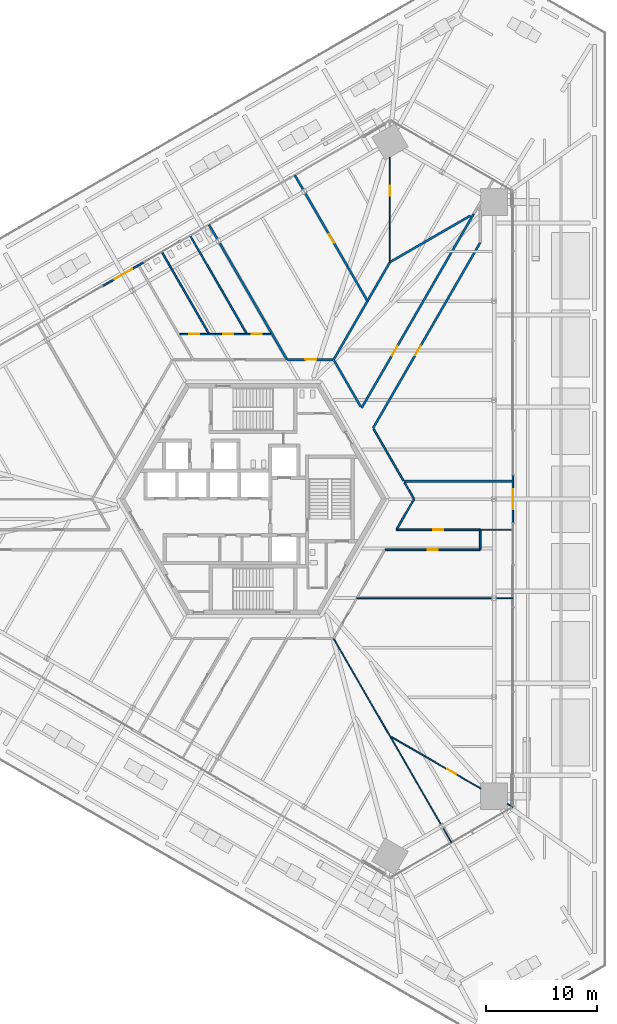
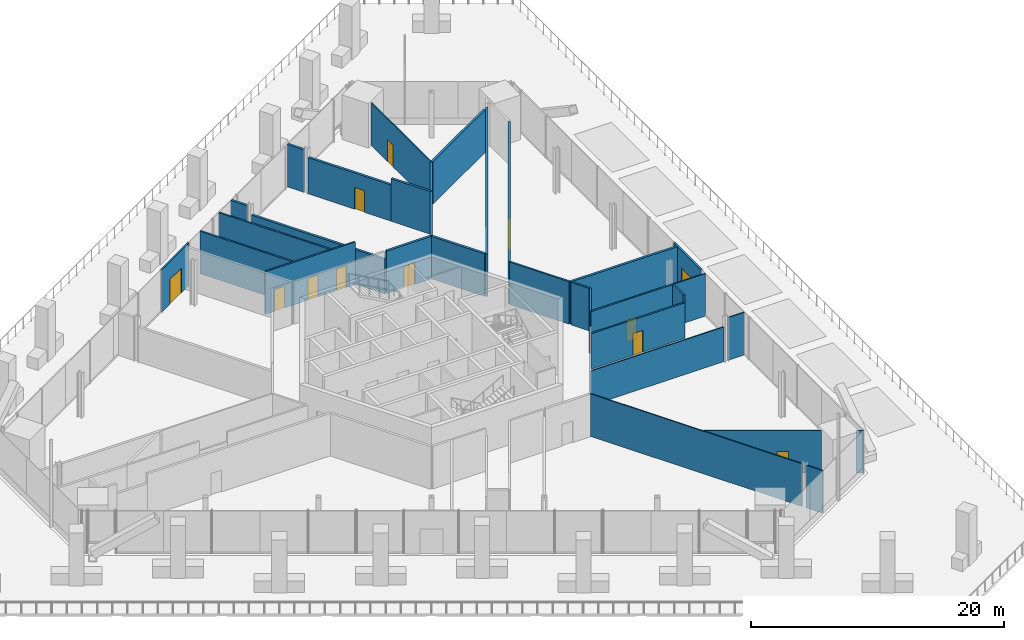
# One storey, part 29 of 38: 31 walls, 13 doors, 13 openings.
"""IFC4 building model written with IfcOpenShell, lengths in metres."""

from ifc_helpers import new_model, si_unit, direction, frame, frame_2d, origin, place, context, subcontext, project, spatial, rectangle, extrude, source, transform, mapped, material, layer, layer_set, type_object, element, fill, save


model = new_model("IFC4")

# Units and contexts
model_context = context("Model", 3, precision=1e-05, world=origin(), true_north=direction((0.0, 1.0)))
body_context = subcontext(model_context, "Body", "Model", "MODEL_VIEW")
ifc_project = project(units=[si_unit("LENGTHUNIT", "METRE"), si_unit("AREAUNIT", "SQUARE_METRE"), si_unit("VOLUMEUNIT", "CUBIC_METRE"), si_unit("PLANEANGLEUNIT", "RADIAN"), si_unit("MASSUNIT", "GRAM", prefix="KILO")], contexts=[model_context])

# Site, building, storey
site_placement = place(None, origin())
site = spatial("IfcSite", under=ifc_project, at=site_placement, CompositionType="ELEMENT")
building_placement = place(site_placement, origin())
building = spatial("IfcBuilding", under=site, at=building_placement, Name="Triune Harvest Tower", CompositionType="ELEMENT")
storey_placement = place(building_placement, frame((0.0, 0.0, 16.0)))
storey = spatial("IfcBuildingStorey", under=building, at=storey_placement, Name="L03", CompositionType="ELEMENT", Elevation=16.0)

# Walls
ifc_material_1 = material(Name="Gypsum board on steel studs", Category="steel")
ifc_layer_1 = layer(ifc_material_1, 0.14990234375)
ifc_layer_set_1 = layer_set([ifc_layer_1], Name="Gypsum board on steel studs")
wall_type_1 = type_object("IfcWallType", Name="Fire Partition 150 mm", PredefinedType="PARTITIONING", material=ifc_layer_set_1)
wall_1_placement = place(storey_placement, frame((-8.2216796875, 22.240234375, 0.0), z_axis=(0.0, 0.0, 1.0), x_axis=(0.500002832459, -0.866023768457, 0.0)))
element("IfcWall", 1, at=wall_1_placement, inside=storey, type_object=wall_type_1, Name="Partition L03 008", PredefinedType="PARTITIONING", context=body_context, shape_type="SweptSolid", body=[
    extrude(rectangle(XDim=8.54248046875, YDim=0.14990234375, at=frame_2d((4.271240234375, 0.0))), origin(), (0.0, 0.0, 1.0), 4.10009765625),
])
wall_2_placement = place(storey_placement, frame((-5.67041015625, 23.713134765625, 0.0), z_axis=(0.0, 0.0, 1.0), x_axis=(0.500017481723, -0.866015310472, 0.0)))
element("IfcWall", 2, at=wall_2_placement, inside=storey, type_object=wall_type_1, Name="Partition L03 009", PredefinedType="PARTITIONING", context=body_context, shape_type="SweptSolid", body=[
    extrude(rectangle(XDim=10.243408203125, YDim=0.14990234375, at=frame_2d((5.12158203125, 0.0))), origin(), (0.0, 0.0, 1.0), 4.10009765625),
])
wall_3_placement = place(storey_placement, frame((10.829833984375, 6.32666015625, 0.0), z_axis=(0.0, 0.0, 1.0), x_axis=(0.500005980693, -0.866021950802, 0.0)))
element("IfcWall", 3, at=wall_3_placement, inside=storey, type_object=wall_type_1, Name="Partition L03 013", PredefinedType="PARTITIONING", context=body_context, shape_type="SweptSolid", body=[
    extrude(rectangle(XDim=5.3916015625, YDim=0.14990234375, at=frame_2d((2.69580078125, 0.0))), origin(), (0.0, 0.0, 1.0), 4.10009765625),
])
wall_4_placement = place(storey_placement, frame((13.62548828125, 1.484375, 0.0), z_axis=(0.0, 0.0, 1.0), x_axis=(0.500075917473, -0.865981568374, 0.0)))
element("IfcWall", 4, at=wall_4_placement, inside=storey, type_object=wall_type_1, Name="Partition L03 014", PredefinedType="PARTITIONING", context=body_context, shape_type="SweptSolid", body=[
    extrude(rectangle(XDim=1.674072265625, YDim=0.14990234375, at=frame_2d((0.8369140625, 0.0))), origin(), (0.0, 0.0, 1.0), 4.10009765625),
])

# Wall, opening, door
wall_5_placement = place(storey_placement, frame((11.90283203125, -4.554931640625, 0.0), z_axis=(0.0, 0.0, 1.0), x_axis=(1.0, 0.0, 0.0)))
wall_5 = element("IfcWall", 5, at=wall_5_placement, inside=storey, type_object=wall_type_1, Name="Partition L03 028", PredefinedType="PARTITIONING", context=body_context, shape_type="SweptSolid", body=[
    extrude(rectangle(XDim=8.526611328125, YDim=0.14990234375, at=frame_2d((4.26318359375, 0.0))), origin(), (0.0, 0.0, 1.0), 3.416748046875),
])
opening_1_placement = place(wall_5_placement, frame((3.800048828125, 0.0, 0.0)))
opening_1 = element("IfcOpeningElement", 6, at=opening_1_placement, cuts=wall_5, Name="Opening L03-002", PredefinedType="OPENING", context=body_context, shape_type="SweptSolid", body=[
    extrude(rectangle(XDim=0.89990234375, YDim=2.10009765625, at=frame_2d((0.449951171875, 1.050048828125))), frame((0.0, 0.0849609375, 0.0), z_axis=(0.0, -1.0, 0.0), x_axis=(1.0, 0.0, 0.0)), (0.0, 0.0, 1.0), 0.169921875),
])
ifc_material_2 = material(Name="Timber and steel door set", Category="steel")
door_type_1 = type_object("IfcDoorType", Name="Single leaf door FD30 left hand 900 x 2100", OperationType="SINGLE_SWING_LEFT", PredefinedType="DOOR", material=ifc_material_2)
door_1_placement = place(opening_1_placement, origin())
door_1 = element("IfcDoor", 7, at=door_1_placement, inside=storey, type_object=door_type_1, Name="Door L03-002 Dry Store Room 03.02", OperationType="SINGLE_SWING_LEFT", OverallHeight=2.10009765625, OverallWidth=0.89990234375, PredefinedType="DOOR", context=body_context, shape_type="SweptSolid", body=[
    extrude(rectangle(XDim=0.89990234375, YDim=2.10009765625, at=frame_2d((0.449951171875, 1.050048828125))), frame((0.0, 0.02490234375, 0.0), z_axis=(0.0, -1.0, 0.0), x_axis=(1.0, 0.0, 0.0)), (0.0, 0.0, 1.0), 0.050048828125),
])
fill(opening_1, door_1)

wall_6_placement = place(storey_placement, frame((12.89208984375, -2.7548828125, 0.0), z_axis=(0.0, 0.0, 1.0), x_axis=(1.0, 0.0, 0.0)))
wall_6 = element("IfcWall", 8, at=wall_6_placement, inside=storey, type_object=wall_type_1, Name="Partition L03 031", PredefinedType="PARTITIONING", context=body_context, shape_type="SweptSolid", body=[
    extrude(rectangle(XDim=7.537353515625, YDim=0.14990234375, at=frame_2d((3.7685546875, 0.0))), origin(), (0.0, 0.0, 1.0), 4.10009765625),
])
opening_2_placement = place(wall_6_placement, frame((3.297607421875, 0.0, 0.0)))
opening_2 = element("IfcOpeningElement", 9, at=opening_2_placement, cuts=wall_6, Name="Opening L03-003", PredefinedType="OPENING", context=body_context, shape_type="SweptSolid", body=[
    extrude(rectangle(XDim=0.89990234375, YDim=2.10009765625, at=frame_2d((0.449951171875, 1.050048828125))), frame((0.0, 0.0849609375, 0.0), z_axis=(0.0, -1.0, 0.0), x_axis=(1.0, 0.0, 0.0)), (0.0, 0.0, 1.0), 0.169921875),
])
door_2_placement = place(opening_2_placement, origin())
door_2 = element("IfcDoor", 10, at=door_2_placement, inside=storey, type_object=door_type_1, Name="Door L03-003 Packing Room 03.03", OperationType="SINGLE_SWING_LEFT", OverallHeight=2.10009765625, OverallWidth=0.89990234375, PredefinedType="DOOR", context=body_context, shape_type="SweptSolid", body=[
    extrude(rectangle(XDim=0.89990234375, YDim=2.10009765625, at=frame_2d((0.449951171875, 1.050048828125))), frame((0.0, 0.02490234375, 0.0), z_axis=(0.0, -1.0, 0.0), x_axis=(1.0, 0.0, 0.0)), (0.0, 0.0, 1.0), 0.050048828125),
])
fill(opening_2, door_2)

# Wall, openings, doors
wall_7_placement = place(storey_placement, frame((-6.591796875, 14.84228515625, 0.0), z_axis=(0.0, 0.0, 1.0), x_axis=(1.0, 0.0, 0.0)))
wall_7 = element("IfcWall", 11, at=wall_7_placement, inside=storey, type_object=wall_type_1, Name="Partition L03 040", PredefinedType="PARTITIONING", context=body_context, shape_type="SweptSolid", body=[
    extrude(rectangle(XDim=8.180908203125, YDim=0.14990234375, at=frame_2d((4.09033203125, 0.0))), origin(), (0.0, 0.0, 1.0), 4.10009765625),
])
opening_3_placement = place(wall_7_placement, frame((6.460693359375, 0.0, 0.0)))
opening_3 = element("IfcOpeningElement", 12, at=opening_3_placement, cuts=wall_7, Name="Opening L03-010", PredefinedType="OPENING", context=body_context, shape_type="SweptSolid", body=[
    extrude(rectangle(XDim=0.89990234375, YDim=2.10009765625, at=frame_2d((0.449951171875, 1.050048828125))), frame((0.0, 0.0849609375, 0.0), z_axis=(0.0, -1.0, 0.0), x_axis=(1.0, 0.0, 0.0)), (0.0, 0.0, 1.0), 0.169921875),
])
opening_4_placement = place(wall_7_placement, frame((3.89306640625, 0.0, 0.0)))
opening_4 = element("IfcOpeningElement", 13, at=opening_4_placement, cuts=wall_7, Name="Opening L03-011", PredefinedType="OPENING", context=body_context, shape_type="SweptSolid", body=[
    extrude(rectangle(XDim=0.89990234375, YDim=2.10009765625, at=frame_2d((0.449951171875, 1.050048828125))), frame((0.0, 0.0849609375, 0.0), z_axis=(0.0, -1.0, 0.0), x_axis=(1.0, 0.0, 0.0)), (0.0, 0.0, 1.0), 0.169921875),
])
opening_5_placement = place(wall_7_placement, frame((0.84130859375, 0.0, 0.0)))
opening_5 = element("IfcOpeningElement", 14, at=opening_5_placement, cuts=wall_7, Name="Opening L03-012", PredefinedType="OPENING", context=body_context, shape_type="SweptSolid", body=[
    extrude(rectangle(XDim=0.89990234375, YDim=2.10009765625, at=frame_2d((0.449951171875, 1.050048828125))), frame((0.0, 0.0849609375, 0.0), z_axis=(0.0, -1.0, 0.0), x_axis=(1.0, 0.0, 0.0)), (0.0, 0.0, 1.0), 0.169921875),
])
door_3_placement = place(opening_5_placement, origin())
door_3 = element("IfcDoor", 15, at=door_3_placement, inside=storey, type_object=door_type_1, Name="Door L03-012 Accessible WC 03.12", OperationType="SINGLE_SWING_LEFT", OverallHeight=2.10009765625, OverallWidth=0.89990234375, PredefinedType="DOOR", context=body_context, shape_type="SweptSolid", body=[
    extrude(rectangle(XDim=0.89990234375, YDim=2.10009765625, at=frame_2d((0.449951171875, 1.050048828125))), frame((0.0, 0.02490234375, 0.0), z_axis=(0.0, -1.0, 0.0), x_axis=(1.0, 0.0, 0.0)), (0.0, 0.0, 1.0), 0.050048828125),
])
fill(opening_5, door_3)
ifc_material_3 = material(Name="Timber and steel door set", Category="steel")
door_type_2 = type_object("IfcDoorType", Name="Single leaf door FD30 right hand 900 x 2100", OperationType="SINGLE_SWING_RIGHT", PredefinedType="DOOR", material=ifc_material_3)
door_4_placement = place(opening_3_placement, origin())
door_4 = element("IfcDoor", 16, at=door_4_placement, inside=storey, type_object=door_type_2, Name="Door L03-010 Women's WC 03.10", OperationType="SINGLE_SWING_RIGHT", OverallHeight=2.10009765625, OverallWidth=0.89990234375, PredefinedType="DOOR", context=body_context, shape_type="SweptSolid", body=[
    extrude(rectangle(XDim=0.89990234375, YDim=2.10009765625, at=frame_2d((0.449951171875, 1.050048828125))), frame((0.0, 0.02490234375, 0.0), z_axis=(0.0, -1.0, 0.0), x_axis=(1.0, 0.0, 0.0)), (0.0, 0.0, 1.0), 0.050048828125),
])
fill(opening_3, door_4)
door_5_placement = place(opening_4_placement, origin())
door_5 = element("IfcDoor", 17, at=door_5_placement, inside=storey, type_object=door_type_2, Name="Door L03-011 Men's WC 03.11", OperationType="SINGLE_SWING_RIGHT", OverallHeight=2.10009765625, OverallWidth=0.89990234375, PredefinedType="DOOR", context=body_context, shape_type="SweptSolid", body=[
    extrude(rectangle(XDim=0.89990234375, YDim=2.10009765625, at=frame_2d((0.449951171875, 1.050048828125))), frame((0.0, 0.02490234375, 0.0), z_axis=(0.0, -1.0, 0.0), x_axis=(1.0, 0.0, 0.0)), (0.0, 0.0, 1.0), 0.050048828125),
])
fill(opening_4, door_5)

# Walls
wall_8_placement = place(storey_placement, frame((12.947021484375, -2.659912109375, 0.0), z_axis=(0.0, 0.0, 1.0), x_axis=(0.499986217557, 0.866033360935, 0.0)))
element("IfcWall", 18, at=wall_8_placement, inside=storey, type_object=wall_type_1, Name="Partition L03 044", PredefinedType="PARTITIONING", context=body_context, shape_type="SweptSolid", body=[
    extrude(rectangle(XDim=3.0712890625, YDim=0.14990234375, at=frame_2d((1.53564453125, 0.0))), origin(), (0.0, 0.0, 1.0), 4.10009765625),
])
wall_9_placement = place(storey_placement, frame((20.429443359375, -4.4951171875, 0.0), z_axis=(0.0, 0.0, 1.0), x_axis=(0.0, 1.0, 0.0)))
element("IfcWall", 19, at=wall_9_placement, inside=storey, type_object=wall_type_1, Name="Partition L03 059", PredefinedType="PARTITIONING", context=body_context, shape_type="SweptSolid", body=[
    extrude(rectangle(XDim=1.68017578125, YDim=0.14990234375, at=frame_2d((0.840087890625, 0.0))), origin(), (0.0, 0.0, 1.0), 4.10009765625),
])
ifc_material_4 = material(Name="Gypsum board on steel studs", Category="steel")
ifc_layer_2 = layer(ifc_material_4, 0.199951171875)
ifc_layer_set_2 = layer_set([ifc_layer_2], Name="Gypsum board on steel studs")
wall_type_2 = type_object("IfcWallType", Name="Fire Wall 200 mm", PredefinedType="PARTITIONING", material=ifc_layer_set_2)
wall_10_placement = place(storey_placement, frame((7.276123046875, 12.481689453125, 0.0), z_axis=(0.0, 0.0, 1.0), x_axis=(0.500043273698, -0.866000418262, 0.0)))
element("IfcWall", 20, at=wall_10_placement, inside=storey, type_object=wall_type_2, Name="Partition L03 012", PredefinedType="PARTITIONING", context=body_context, shape_type="SweptSolid", body=[
    extrude(rectangle(XDim=4.80859375, YDim=0.199951171875, at=frame_2d((2.404296875, 0.0))), origin(), (0.0, 0.0, 1.0), 4.10009765625),
])
wall_11_placement = place(storey_placement, frame((8.4736328125, 20.963134765625, 0.0), z_axis=(0.0, 0.0, 1.0), x_axis=(0.500009718699, -0.866019792618, 0.0)))
element("IfcWall", 21, at=wall_11_placement, inside=storey, type_object=wall_type_2, Name="Partition L03 016a", PredefinedType="PARTITIONING", context=body_context, shape_type="SweptSolid", body=[
    extrude(rectangle(XDim=3.62939453125, YDim=0.199951171875, at=frame_2d((1.814697265625, 0.0))), origin(), (0.0, 0.0, 1.0), 4.10009765625),
])
wall_12_placement = place(storey_placement, frame((13.558837890625, 1.60009765625, 0.0), z_axis=(0.0, 0.0, 1.0), x_axis=(1.0, 0.0, 0.0)))
element("IfcWall", 22, at=wall_12_placement, inside=storey, type_object=wall_type_2, Name="Partition L03 036", PredefinedType="PARTITIONING", context=body_context, shape_type="SweptSolid", body=[
    extrude(rectangle(XDim=9.8125, YDim=0.199951171875, at=frame_2d((4.90625, 0.0))), origin(), (0.0, 0.0, 1.0), 4.10009765625),
])

# Wall, opening, door
wall_13_placement = place(storey_placement, frame((3.113525390625, 12.542236328125, 0.0), z_axis=(0.0, 0.0, 1.0), x_axis=(1.0, 0.0, 0.0)))
wall_13 = element("IfcWall", 23, at=wall_13_placement, inside=storey, type_object=wall_type_2, Name="Partition L03 039", PredefinedType="PARTITIONING", context=body_context, shape_type="SweptSolid", body=[
    extrude(rectangle(XDim=4.057861328125, YDim=0.199951171875, at=frame_2d((2.02880859375, 0.0))), origin(), (0.0, 0.0, 1.0), 4.10009765625),
])
opening_6_placement = place(wall_13_placement, frame((1.57763671875, 0.0, 0.0)))
opening_6 = element("IfcOpeningElement", 24, at=opening_6_placement, cuts=wall_13, Name="Opening L03-008", PredefinedType="OPENING", context=body_context, shape_type="SweptSolid", body=[
    extrude(rectangle(XDim=1.0, YDim=2.10009765625, at=frame_2d((0.5, 1.050048828125))), frame((0.0, 0.10986328125, 0.0), z_axis=(0.0, -1.0, 0.0), x_axis=(1.0, 0.0, 0.0)), (0.0, 0.0, 1.0), 0.219970703125),
])
ifc_material_5 = material(Name="Timber and steel door set", Category="steel")
door_type_3 = type_object("IfcDoorType", Name="Wide single leaf door FD60 right hand 1000 x 2100", OperationType="SINGLE_SWING_RIGHT", PredefinedType="DOOR", material=ifc_material_5)
door_6_placement = place(opening_6_placement, origin())
door_6 = element("IfcDoor", 25, at=door_6_placement, inside=storey, type_object=door_type_3, Name="Door L03-008 Growing Room 03.08", OperationType="SINGLE_SWING_RIGHT", OverallHeight=2.10009765625, OverallWidth=1.0, PredefinedType="DOOR", context=body_context, shape_type="SweptSolid", body=[
    extrude(rectangle(XDim=1.0, YDim=2.10009765625, at=frame_2d((0.5, 1.050048828125))), frame((0.0, 0.02490234375, 0.0), z_axis=(0.0, -1.0, 0.0), x_axis=(1.0, 0.0, 0.0)), (0.0, 0.0, 1.0), 0.050048828125),
])
fill(opening_6, door_6)

# Wall
wall_14_placement = place(storey_placement, frame((12.38720703125, 21.364990234375, 0.0), z_axis=(0.0, 0.0, 1.0), x_axis=(0.866019818373, 0.500009674092, 0.0)))
element("IfcWall", 26, at=wall_14_placement, inside=storey, type_object=wall_type_2, Name="Partition L03 042", PredefinedType="PARTITIONING", context=body_context, shape_type="SweptSolid", body=[
    extrude(rectangle(XDim=8.289794921875, YDim=0.199951171875, at=frame_2d((4.14501953125, 0.0))), origin(), (0.0, 0.0, 1.0), 4.10009765625),
])

# Wall, opening, door
wall_15_placement = place(storey_placement, frame((10.794677734375, 6.387451171875, 0.0), z_axis=(0.0, 0.0, 1.0), x_axis=(0.499994080432, 0.866028821422, 0.0)))
wall_15 = element("IfcWall", 27, at=wall_15_placement, inside=storey, type_object=wall_type_2, Name="Partition L03 049", PredefinedType="PARTITIONING", context=body_context, shape_type="SweptSolid", body=[
    extrude(rectangle(XDim=19.269287109375, YDim=0.199951171875, at=frame_2d((9.634765625, 0.0))), origin(), (0.0, 0.0, 1.0), 4.10009765625),
])
opening_7_placement = place(wall_15_placement, frame((7.56298828125, 0.0, 0.0)))
opening_7 = element("IfcOpeningElement", 28, at=opening_7_placement, cuts=wall_15, Name="Opening L03-005", PredefinedType="OPENING", context=body_context, shape_type="SweptSolid", body=[
    extrude(rectangle(XDim=1.0, YDim=2.10009765625, at=frame_2d((0.5, 1.050048828125))), frame((0.0, 0.10986328125, 0.0), z_axis=(0.0, -1.0, 0.0), x_axis=(1.0, 0.0, 0.0)), (0.0, 0.0, 1.0), 0.219970703125),
])
door_7_placement = place(opening_7_placement, origin())
door_7 = element("IfcDoor", 29, at=door_7_placement, inside=storey, type_object=door_type_3, Name="Door L03-005 Growing Room 03.05", OperationType="SINGLE_SWING_RIGHT", OverallHeight=2.10009765625, OverallWidth=1.0, PredefinedType="DOOR", context=body_context, shape_type="SweptSolid", body=[
    extrude(rectangle(XDim=1.0, YDim=2.10009765625, at=frame_2d((0.5, 1.050048828125))), frame((0.0, 0.02490234375, 0.0), z_axis=(0.0, -1.0, 0.0), x_axis=(1.0, 0.0, 0.0)), (0.0, 0.0, 1.0), 0.050048828125),
])
fill(opening_7, door_7)

wall_16_placement = place(storey_placement, frame((9.75537109375, 8.1875, 0.0), z_axis=(0.0, 0.0, 1.0), x_axis=(0.500007734453, 0.86602093825, 0.0)))
wall_16 = element("IfcWall", 30, at=wall_16_placement, inside=storey, type_object=wall_type_2, Name="Partition L03 051", PredefinedType="PARTITIONING", context=body_context, shape_type="SweptSolid", body=[
    extrude(rectangle(XDim=20.198974609375, YDim=0.199951171875, at=frame_2d((10.099609375, 0.0))), origin(), (0.0, 0.0, 1.0), 4.10009765625),
])
opening_8_placement = place(wall_16_placement, frame((5.472900390625, 0.0, 0.0)))
opening_8 = element("IfcOpeningElement", 31, at=opening_8_placement, cuts=wall_16, Name="Opening L03-004", PredefinedType="OPENING", context=body_context, shape_type="SweptSolid", body=[
    extrude(rectangle(XDim=1.0, YDim=2.10009765625, at=frame_2d((0.5, 1.050048828125))), frame((0.0, 0.10986328125, 0.0), z_axis=(0.0, -1.0, 0.0), x_axis=(1.0, 0.0, 0.0)), (0.0, 0.0, 1.0), 0.219970703125),
])
ifc_material_6 = material(Name="Timber and steel door set", Category="steel")
door_type_4 = type_object("IfcDoorType", Name="Wide single leaf door FD60 left hand 1000 x 2100", OperationType="SINGLE_SWING_LEFT", PredefinedType="DOOR", material=ifc_material_6)
door_8_placement = place(opening_8_placement, origin())
door_8 = element("IfcDoor", 32, at=door_8_placement, inside=storey, type_object=door_type_4, Name="Door L03-004 Growing Room 03.04", OperationType="SINGLE_SWING_LEFT", OverallHeight=2.10009765625, OverallWidth=1.0, PredefinedType="DOOR", context=body_context, shape_type="SweptSolid", body=[
    extrude(rectangle(XDim=1.0, YDim=2.10009765625, at=frame_2d((0.5, 1.050048828125))), frame((0.0, 0.02490234375, 0.0), z_axis=(0.0, -1.0, 0.0), x_axis=(1.0, 0.0, 0.0)), (0.0, 0.0, 1.0), 0.050048828125),
])
fill(opening_8, door_8)

# Walls
wall_17_placement = place(storey_placement, frame((7.2412109375, 12.542236328125, 0.0), z_axis=(0.0, 0.0, 1.0), x_axis=(0.49999906822, 0.866025941747, 0.0)))
element("IfcWall", 33, at=wall_17_placement, inside=storey, type_object=wall_type_2, Name="Partition L03 056", PredefinedType="PARTITIONING", context=body_context, shape_type="SweptSolid", body=[
    extrude(rectangle(XDim=10.1357421875, YDim=0.199951171875, at=frame_2d((5.06787109375, 0.0))), origin(), (0.0, 0.0, 1.0), 4.10009765625),
])
ifc_material_7 = material(Name="Gypsum board on steel studs", Category="steel")
ifc_layer_3 = layer(ifc_material_7, 0.10009765625)
ifc_layer_set_3 = layer_set([ifc_layer_3], Name="Gypsum board on steel studs")
wall_type_3 = type_object("IfcWallType", Name="Partition 100 mm", PredefinedType="PARTITIONING", material=ifc_layer_set_3)
wall_18_placement = place(storey_placement, frame((7.2412109375, -12.542236328125, 0.0), z_axis=(0.0, 0.0, 1.0), x_axis=(0.500004409704, -0.866022857826, 0.0)))
element("IfcWall", 34, at=wall_18_placement, inside=storey, type_object=wall_type_3, Name="Partition L03 005", PredefinedType="PARTITIONING", context=body_context, shape_type="SweptSolid", body=[
    extrude(rectangle(XDim=19.312744140625, YDim=0.10009765625, at=frame_2d((9.65625, 0.0))), origin(), (0.0, 0.0, 1.0), 4.10009765625),
])

# Wall, opening, door
wall_19_placement = place(storey_placement, frame((12.430419921875, -21.389892578125, 0.0), z_axis=(0.0, 0.0, 1.0), x_axis=(0.866017819526, -0.500013136091, 0.0)))
wall_19 = element("IfcWall", 35, at=wall_19_placement, inside=storey, type_object=wall_type_3, Name="Partition L03 018", PredefinedType="PARTITIONING", context=body_context, shape_type="SweptSolid", body=[
    extrude(rectangle(XDim=9.305908203125, YDim=0.10009765625, at=frame_2d((4.65283203125, 0.0))), origin(), (0.0, 0.0, 1.0), 4.10009765625),
])
opening_9_placement = place(wall_19_placement, frame((5.81005859375, 0.0, 0.0)))
opening_9 = element("IfcOpeningElement", 36, at=opening_9_placement, cuts=wall_19, Name="Opening L03-021", PredefinedType="OPENING", context=body_context, shape_type="SweptSolid", body=[
    extrude(rectangle(XDim=0.89990234375, YDim=2.10009765625, at=frame_2d((0.449951171875, 1.050048828125))), frame((0.0, 0.06005859375, 0.0), z_axis=(0.0, -1.0, 0.0), x_axis=(1.0, 0.0, 0.0)), (0.0, 0.0, 1.0), 0.1201171875),
])
ifc_material_8 = material(Name="Timber and steel door set", Category="steel")
door_type_5 = type_object("IfcDoorType", Name="Single leaf door left hand 900 x 2100", OperationType="SINGLE_SWING_LEFT", PredefinedType="DOOR", material=ifc_material_8)
door_9_placement = place(opening_9_placement, origin())
door_9 = element("IfcDoor", 37, at=door_9_placement, inside=storey, type_object=door_type_5, Name="Door L03-021 Laboratory 03.21", OperationType="SINGLE_SWING_LEFT", OverallHeight=2.10009765625, OverallWidth=0.89990234375, PredefinedType="DOOR", context=body_context, shape_type="SweptSolid", body=[
    extrude(rectangle(XDim=0.89990234375, YDim=2.10009765625, at=frame_2d((0.449951171875, 1.050048828125))), frame((0.0, 0.02490234375, 0.0), z_axis=(0.0, -1.0, 0.0), x_axis=(1.0, 0.0, 0.0)), (0.0, 0.0, 1.0), 0.050048828125),
])
fill(opening_9, door_9)

# Wall
wall_20_placement = place(storey_placement, frame((22.869384765625, -27.4169921875, 0.0), z_axis=(0.0, 0.0, 1.0), x_axis=(0.866031268329, -0.499989842173, 0.0)))
element("IfcWall", 38, at=wall_20_placement, inside=storey, type_object=wall_type_3, Name="Partition L03 019", PredefinedType="PARTITIONING", context=body_context, shape_type="SweptSolid", body=[
    extrude(rectangle(XDim=0.57958984375, YDim=0.10009765625, at=frame_2d((0.289794921875, 0.0))), origin(), (0.0, 0.0, 1.0), 4.10009765625),
])

# Wall, opening, door
wall_21_placement = place(storey_placement, frame((12.30908203125, 21.330078125, 0.0), z_axis=(0.0, 0.0, 1.0), x_axis=(0.0, 1.0, 0.0)))
wall_21 = element("IfcWall", 39, at=wall_21_placement, inside=storey, type_object=wall_type_3, Name="Partition L03 061", PredefinedType="PARTITIONING", context=body_context, shape_type="SweptSolid", body=[
    extrude(rectangle(XDim=9.435791015625, YDim=0.10009765625, at=frame_2d((4.7177734375, 0.0))), origin(), (0.0, 0.0, 1.0), 4.10009765625),
])
opening_10_placement = place(wall_21_placement, frame((5.93994140625, 0.0, 0.0)))
opening_10 = element("IfcOpeningElement", 40, at=opening_10_placement, cuts=wall_21, Name="Opening L03-006", PredefinedType="OPENING", context=body_context, shape_type="SweptSolid", body=[
    extrude(rectangle(XDim=0.89990234375, YDim=2.10009765625, at=frame_2d((0.449951171875, 1.050048828125))), frame((0.0, 0.06005859375, 0.0), z_axis=(0.0, -1.0, 0.0), x_axis=(1.0, 0.0, 0.0)), (0.0, 0.0, 1.0), 0.1201171875),
])
door_10_placement = place(opening_10_placement, origin())
door_10 = element("IfcDoor", 41, at=door_10_placement, inside=storey, type_object=door_type_5, Name="Door L03-006 Packing Room 03.06", OperationType="SINGLE_SWING_LEFT", OverallHeight=2.10009765625, OverallWidth=0.89990234375, PredefinedType="DOOR", context=body_context, shape_type="SweptSolid", body=[
    extrude(rectangle(XDim=0.89990234375, YDim=2.10009765625, at=frame_2d((0.449951171875, 1.050048828125))), frame((0.0, 0.02490234375, 0.0), z_axis=(0.0, -1.0, 0.0), x_axis=(1.0, 0.0, 0.0)), (0.0, 0.0, 1.0), 0.050048828125),
])
fill(opening_10, door_10)

ifc_material_9 = material(Name="Aluminium bronze anodised", Category="aluminium")
ifc_layer_4 = layer(ifc_material_9, 0.14990234375)
ifc_layer_set_4 = layer_set([ifc_layer_4], Name="Aluminium bronze anodised")
wall_type_4 = type_object("IfcWallType", Name="WW-2 balcony window wall", PredefinedType="ELEMENTEDWALL", material=ifc_layer_set_4)
shared_shape_1 = source(origin(), body_context, "Body", "SweptSolid", [
    extrude(rectangle(XDim=4.2626953125, YDim=0.14990234375, at=frame_2d((2.13134765625, 0.0))), origin(), (0.0, 0.0, 1.0), 4.10009765625),
])
wall_22_placement = place(storey_placement, frame((23.371337890625, 2.13134765625, 0.0), z_axis=(0.0, 0.0, 1.0), x_axis=(0.0, -1.0, 0.0)))
wall_22 = element("IfcWall", 42, at=wall_22_placement, inside=storey, type_object=wall_type_4, Name="WW-2 B1-F1 L03.7", PredefinedType="ELEMENTEDWALL", context=body_context, shape_type="MappedRepresentation", body=[
    mapped(shared_shape_1, transform((0.0, 0.0, 0.0), scale=1.0)),
])
opening_11_placement = place(wall_22_placement, frame((1.231201171875, 0.0, 0.0)))
opening_11 = element("IfcOpeningElement", 43, at=opening_11_placement, cuts=wall_22, Name="Opening L03-E01", PredefinedType="OPENING", context=body_context, shape_type="SweptSolid", body=[
    extrude(rectangle(XDim=1.800048828125, YDim=2.39990234375, at=frame_2d((0.89990234375, 1.199951171875))), frame((0.0, 0.0849609375, 0.0), z_axis=(0.0, -1.0, 0.0), x_axis=(1.0, 0.0, 0.0)), (0.0, 0.0, 1.0), 0.169921875),
])
ifc_material_10 = material(Name="Glass", Category="glass")
door_type_6 = type_object("IfcDoorType", Name="DB-1 balcony door 1800 x 2400", OperationType="DOUBLE_DOOR_SINGLE_SWING", PredefinedType="DOOR", material=ifc_material_10)
door_11_placement = place(opening_11_placement, origin())
door_11 = element("IfcDoor", 44, at=door_11_placement, inside=storey, type_object=door_type_6, Name="Door L03-E01", OperationType="DOUBLE_DOOR_SINGLE_SWING", OverallHeight=2.39990234375, OverallWidth=1.800048828125, PredefinedType="DOOR", context=body_context, shape_type="SweptSolid", body=[
    extrude(rectangle(XDim=1.800048828125, YDim=2.39990234375, at=frame_2d((0.89990234375, 1.199951171875))), frame((0.0, 0.02490234375, 0.0), z_axis=(0.0, -1.0, 0.0), x_axis=(1.0, 0.0, 0.0)), (0.0, 0.0, 1.0), 0.050048828125),
])
fill(opening_11, door_11)

wall_23_placement = place(storey_placement, frame((-13.531494140625, 19.174560546875, 0.0), z_axis=(0.0, 0.0, 1.0), x_axis=(0.8660282166, 0.499995128029, 0.0)))
wall_23 = element("IfcWall", 45, at=wall_23_placement, inside=storey, type_object=wall_type_4, Name="WW-2 B1-F3 L03.7", PredefinedType="ELEMENTEDWALL", context=body_context, shape_type="MappedRepresentation", body=[
    mapped(shared_shape_1, transform((0.0, 0.0, 0.0), scale=1.0)),
])
opening_12_placement = place(wall_23_placement, frame((1.231201171875, 0.0, 0.0)))
opening_12 = element("IfcOpeningElement", 46, at=opening_12_placement, cuts=wall_23, Name="Opening L03-E02", PredefinedType="OPENING", context=body_context, shape_type="SweptSolid", body=[
    extrude(rectangle(XDim=1.800048828125, YDim=2.39990234375, at=frame_2d((0.89990234375, 1.199951171875))), frame((0.0, 0.0849609375, 0.0), z_axis=(0.0, -1.0, 0.0), x_axis=(1.0, 0.0, 0.0)), (0.0, 0.0, 1.0), 0.169921875),
])
door_12_placement = place(opening_12_placement, origin())
door_12 = element("IfcDoor", 47, at=door_12_placement, inside=storey, type_object=door_type_6, Name="Door L03-E02", OperationType="DOUBLE_DOOR_SINGLE_SWING", OverallHeight=2.39990234375, OverallWidth=1.800048828125, PredefinedType="DOOR", context=body_context, shape_type="SweptSolid", body=[
    extrude(rectangle(XDim=1.800048828125, YDim=2.39990234375, at=frame_2d((0.89990234375, 1.199951171875))), frame((0.0, 0.02490234375, 0.0), z_axis=(0.0, -1.0, 0.0), x_axis=(1.0, 0.0, 0.0)), (0.0, 0.0, 1.0), 0.050048828125),
])
fill(opening_12, door_12)

# Walls
shared_shape_2 = source(origin(), body_context, "Body", "SweptSolid", [
    extrude(rectangle(XDim=1.49853515625, YDim=0.199951171875, at=frame_2d((0.749267578125, 0.0))), origin(), (0.0, 0.0, 1.0), 4.10009765625),
])
wall_24_placement = place(storey_placement, frame((3.746826171875, 29.150146484375, 0.0), z_axis=(0.0, 0.0, 1.0), x_axis=(0.499976292358, -0.866039090965, 0.0)))
element("IfcWall", 48, at=wall_24_placement, inside=storey, type_object=wall_type_2, Name="Partition L03 015", PredefinedType="PARTITIONING", context=body_context, shape_type="MappedRepresentation", body=[
    mapped(shared_shape_2, transform((0.0, 0.0, 0.0), scale=1.0)),
])
shared_shape_3 = source(origin(), body_context, "Body", "SweptSolid", [
    extrude(rectangle(XDim=1.49853515625, YDim=0.10009765625, at=frame_2d((0.749267578125, 0.0))), origin(), (0.0, 0.0, 1.0), 4.10009765625),
])
for number, where, z_axis, x_axis, name in (
    (49, (17.0908203125, -29.602294921875, 0.0), (0.0, 0.0, 1.0), (0.499976292358, -0.866039090965, 0.0), "Partition L03 006"),
    (50, (21.872802734375, -8.909912109375, 0.0), (0.0, 0.0, 1.0), (1.0, 0.0, 0.0), "Partition L03 026"),
):
    element("IfcWall", number, at=place(storey_placement, frame(where, z_axis=z_axis, x_axis=x_axis)), inside=storey, type_object=wall_type_3, Name=name, PredefinedType="PARTITIONING", context=body_context, shape_type="MappedRepresentation", body=[
        mapped(shared_shape_3, transform((0.0, 0.0, 0.0), scale=1.0)),
    ])
shared_shape_4 = source(origin(), body_context, "Body", "SweptSolid", [
    extrude(rectangle(XDim=1.498779296875, YDim=0.199951171875, at=frame_2d((0.74951171875, 0.0))), origin(), (0.0, 0.0, 1.0), 4.10009765625),
])
wall_25_placement = place(storey_placement, frame((-3.969482421875, 24.6953125, 0.0), z_axis=(0.0, 0.0, 1.0), x_axis=(0.499905760005, -0.866079806435, 0.0)))
element("IfcWall", 51, at=wall_25_placement, inside=storey, type_object=wall_type_2, Name="Partition L03 010", PredefinedType="PARTITIONING", context=body_context, shape_type="MappedRepresentation", body=[
    mapped(shared_shape_4, transform((0.0, 0.0, 0.0), scale=1.0)),
])
shared_shape_5 = source(origin(), body_context, "Body", "SweptSolid", [
    extrude(rectangle(XDim=12.14794921875, YDim=0.199951171875, at=frame_2d((6.073974609375, 0.0))), origin(), (0.0, 0.0, 1.0), 3.343017578125),
])
wall_26_placement = place(storey_placement, frame((-3.02685546875, 23.062744140625, 0.0), z_axis=(0.0, 0.0, 1.0), x_axis=(0.499997320042, -0.866026951053, 0.0)))
element("IfcWall", 52, at=wall_26_placement, inside=storey, type_object=wall_type_2, Name="Partition L03 011", PredefinedType="PARTITIONING", context=body_context, shape_type="MappedRepresentation", body=[
    mapped(shared_shape_5, transform((0.0, 0.0, 0.0), scale=1.0)),
])

# Wall, opening, door
shared_shape_6 = source(origin(), body_context, "Body", "SweptSolid", [
    extrude(rectangle(XDim=7.568359375, YDim=0.199951171875, at=frame_2d((3.7841796875, 0.0))), origin(), (0.0, 0.0, 1.0), 3.48779296875),
])
wall_27_placement = place(storey_placement, frame((4.689453125, 27.517578125, 0.0), z_axis=(0.0, 0.0, 1.0), x_axis=(0.499997032024, -0.866027117339, 0.0)))
wall_27 = element("IfcWall", 53, at=wall_27_placement, inside=storey, type_object=wall_type_2, Name="Partition L03 016", PredefinedType="PARTITIONING", context=body_context, shape_type="MappedRepresentation", body=[
    mapped(shared_shape_6, transform((0.0, 0.0, 0.0), scale=1.0)),
])
opening_13_placement = place(wall_27_placement, frame((4.248046875, 0.0, 0.0)))
opening_13 = element("IfcOpeningElement", 54, at=opening_13_placement, cuts=wall_27, Name="Opening L03-007", PredefinedType="OPENING", context=body_context, shape_type="SweptSolid", body=[
    extrude(rectangle(XDim=0.89990234375, YDim=2.10009765625, at=frame_2d((0.449951171875, 1.050048828125))), frame((0.0, 0.10986328125, 0.0), z_axis=(0.0, -1.0, 0.0), x_axis=(1.0, 0.0, 0.0)), (0.0, 0.0, 1.0), 0.219970703125),
])
ifc_material_11 = material(Name="Timber and steel door set", Category="steel")
door_type_7 = type_object("IfcDoorType", Name="Single leaf door FD60 left hand 900 x 2100", OperationType="SINGLE_SWING_LEFT", PredefinedType="DOOR", material=ifc_material_11)
door_13_placement = place(opening_13_placement, origin())
door_13 = element("IfcDoor", 55, at=door_13_placement, inside=storey, type_object=door_type_7, Name="Door L03-007 Cold Store 03.07", OperationType="SINGLE_SWING_LEFT", OverallHeight=2.10009765625, OverallWidth=0.89990234375, PredefinedType="DOOR", context=body_context, shape_type="SweptSolid", body=[
    extrude(rectangle(XDim=0.89990234375, YDim=2.10009765625, at=frame_2d((0.449951171875, 1.050048828125))), frame((0.0, 0.02490234375, 0.0), z_axis=(0.0, -1.0, 0.0), x_axis=(1.0, 0.0, 0.0)), (0.0, 0.0, 1.0), 0.050048828125),
])
fill(opening_13, door_13)

# Walls
shared_shape_7 = source(origin(), body_context, "Body", "SweptSolid", [
    extrude(rectangle(XDim=12.14794921875, YDim=0.10009765625, at=frame_2d((6.073974609375, 0.0))), origin(), (0.0, 0.0, 1.0), 3.343017578125),
])
wall_28_placement = place(storey_placement, frame((9.33837890625, -8.909912109375, 0.0), z_axis=(0.0, 0.0, 1.0), x_axis=(1.0, 0.0, 0.0)))
element("IfcWall", 56, at=wall_28_placement, inside=storey, type_object=wall_type_3, Name="Partition L03 025", PredefinedType="PARTITIONING", context=body_context, shape_type="MappedRepresentation", body=[
    mapped(shared_shape_7, transform((0.0, 0.0, 0.0), scale=1.0)),
])
shared_shape_8 = source(origin(), body_context, "Body", "SweptSolid", [
    extrude(rectangle(XDim=2.94189453125, YDim=0.10009765625, at=frame_2d((1.470947265625, 0.0))), origin(), (0.0, 0.0, 1.0), 4.10009765625),
])
wall_29_placement = place(storey_placement, frame((20.429443359375, -2.7548828125, 0.0), z_axis=(0.0, 0.0, 1.0), x_axis=(1.0, 0.0, 0.0)))
element("IfcWall", 57, at=wall_29_placement, inside=storey, type_object=wall_type_3, Name="Partition L03 032", PredefinedType="PARTITIONING", context=body_context, shape_type="MappedRepresentation", body=[
    mapped(shared_shape_8, transform((0.0, 0.0, 0.0), scale=1.0)),
])

save(model, "model.ifc")
